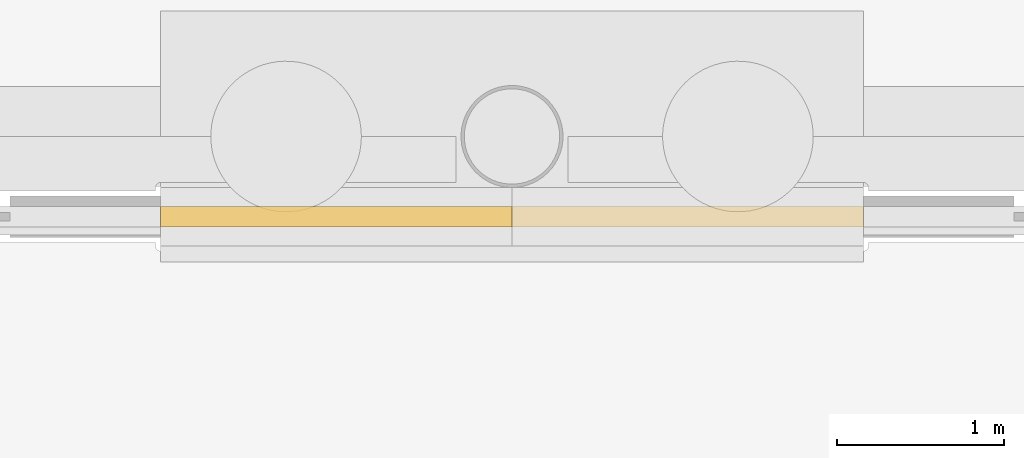
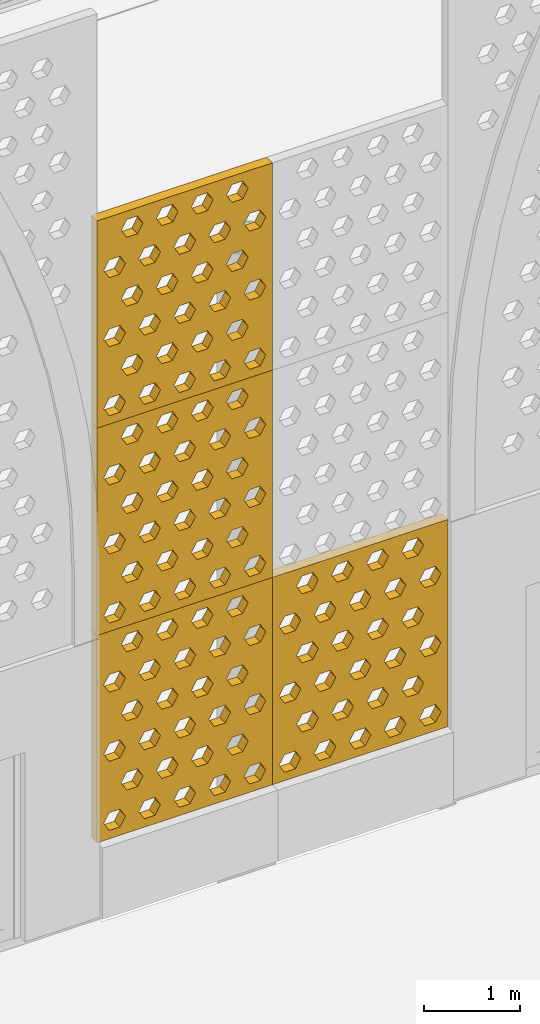
# One storey, part 196 of 250: 4 shading devices.
"""IFC4 building model written with IfcOpenShell, lengths in metres."""

from ifc_helpers import new_model, si_unit, direction, frame, origin, place, context, subcontext, project, spatial, polyline, outline, extrude, material, layer, layer_set, type_object, element, save


model = new_model("IFC4")

# Units and contexts
model_context = context("Model", 3, precision=1e-05, world=origin(), true_north=direction((0.0, 1.0)))
body_context = subcontext(model_context, "Body", "Model", "MODEL_VIEW")
ifc_project = project(units=[si_unit("LENGTHUNIT", "METRE"), si_unit("AREAUNIT", "SQUARE_METRE"), si_unit("VOLUMEUNIT", "CUBIC_METRE"), si_unit("PLANEANGLEUNIT", "RADIAN"), si_unit("MASSUNIT", "GRAM", prefix="KILO")], contexts=[model_context])

# Site, building, storey
site_placement = place(None, origin())
site = spatial("IfcSite", under=ifc_project, at=site_placement, CompositionType="ELEMENT")
building_placement = place(site_placement, origin())
building = spatial("IfcBuilding", under=site, at=building_placement, Name="Baradari Gate Terminus", CompositionType="ELEMENT")
storey_placement = place(building_placement, origin())
storey = spatial("IfcBuildingStorey", under=building, at=storey_placement, Name="L00", CompositionType="ELEMENT", Elevation=0.0)

# Shading devices
ifc_material = material(Name="Concrete C50/60 precast", Category="concrete")
ifc_layer = layer(ifc_material, 0.1201171875)
ifc_layer_set = layer_set([ifc_layer], Name="Concrete C50/60 precast")
shading_device_type = type_object("IfcShadingDeviceType", Name="Jali screen panel JS-2 120", PredefinedType="SHUTTER", material=ifc_layer_set)
shading_device_1_placement = place(storey_placement, frame((186.89990234375, 35.52001953125, 0.89990234375), z_axis=(0.0, 0.0, 1.0), x_axis=(1.0, 0.0, 0.0)))
element("IfcShadingDevice", 1, at=shading_device_1_placement, inside=storey, type_object=shading_device_type, Name="Jali screen panel JS-2 SC03c row 1 panel 1", PredefinedType="SHUTTER", context=body_context, shape_type="SweptSolid", body=[
    extrude(outline(polyline([(0.0, 0.0), (2.10009765625, 0.0), (2.10009765625, 2.625), (0.0, 2.625), (0.0, 0.0)]), holes=[polyline([(0.340087890625, 0.21875), (0.27490234375, 0.106201171875), (0.14501953125, 0.106201171875), (0.080078125, 0.21875), (0.14501953125, 0.33154296875), (0.27490234375, 0.33154296875), (0.340087890625, 0.21875)]), polyline([(0.760009765625, 0.21875), (0.695068359375, 0.106201171875), (0.56494140625, 0.106201171875), (0.5, 0.21875), (0.56494140625, 0.33154296875), (0.695068359375, 0.33154296875), (0.760009765625, 0.21875)]), polyline([(1.179931640625, 0.21875), (1.114990234375, 0.106201171875), (0.985107421875, 0.106201171875), (0.919921875, 0.21875), (0.985107421875, 0.33154296875), (1.114990234375, 0.33154296875), (1.179931640625, 0.21875)]), polyline([(1.60009765625, 0.21875), (1.534912109375, 0.106201171875), (1.405029296875, 0.106201171875), (1.340087890625, 0.21875), (1.405029296875, 0.33154296875), (1.534912109375, 0.33154296875), (1.60009765625, 0.21875)]), polyline([(2.02001953125, 0.21875), (1.955078125, 0.106201171875), (1.824951171875, 0.106201171875), (1.760009765625, 0.21875), (1.824951171875, 0.33154296875), (1.955078125, 0.33154296875), (2.02001953125, 0.21875)]), polyline([(0.550048828125, 0.65625), (0.485107421875, 0.543701171875), (0.35498046875, 0.543701171875), (0.2900390625, 0.65625), (0.35498046875, 0.76904296875), (0.485107421875, 0.76904296875), (0.550048828125, 0.65625)]), polyline([(0.969970703125, 0.65625), (0.905029296875, 0.543701171875), (0.77490234375, 0.543701171875), (0.7099609375, 0.65625), (0.77490234375, 0.76904296875), (0.905029296875, 0.76904296875), (0.969970703125, 0.65625)]), polyline([(1.389892578125, 0.65625), (1.324951171875, 0.543701171875), (1.195068359375, 0.543701171875), (1.1298828125, 0.65625), (1.195068359375, 0.76904296875), (1.324951171875, 0.76904296875), (1.389892578125, 0.65625)]), polyline([(1.81005859375, 0.65625), (1.7451171875, 0.543701171875), (1.614990234375, 0.543701171875), (1.550048828125, 0.65625), (1.614990234375, 0.76904296875), (1.7451171875, 0.76904296875), (1.81005859375, 0.65625)]), polyline([(0.340087890625, 1.09375), (0.27490234375, 0.981201171875), (0.14501953125, 0.981201171875), (0.080078125, 1.09375), (0.14501953125, 1.20654296875), (0.27490234375, 1.20654296875), (0.340087890625, 1.09375)]), polyline([(0.760009765625, 1.09375), (0.695068359375, 0.981201171875), (0.56494140625, 0.981201171875), (0.5, 1.09375), (0.56494140625, 1.20654296875), (0.695068359375, 1.20654296875), (0.760009765625, 1.09375)]), polyline([(1.179931640625, 1.09375), (1.114990234375, 0.981201171875), (0.985107421875, 0.981201171875), (0.919921875, 1.09375), (0.985107421875, 1.20654296875), (1.114990234375, 1.20654296875), (1.179931640625, 1.09375)]), polyline([(1.60009765625, 1.09375), (1.534912109375, 0.981201171875), (1.405029296875, 0.981201171875), (1.340087890625, 1.09375), (1.405029296875, 1.20654296875), (1.534912109375, 1.20654296875), (1.60009765625, 1.09375)]), polyline([(2.02001953125, 1.09375), (1.955078125, 0.981201171875), (1.824951171875, 0.981201171875), (1.760009765625, 1.09375), (1.824951171875, 1.20654296875), (1.955078125, 1.20654296875), (2.02001953125, 1.09375)]), polyline([(0.550048828125, 1.53125), (0.485107421875, 1.418701171875), (0.35498046875, 1.418701171875), (0.2900390625, 1.53125), (0.35498046875, 1.64404296875), (0.485107421875, 1.64404296875), (0.550048828125, 1.53125)]), polyline([(0.969970703125, 1.53125), (0.905029296875, 1.418701171875), (0.77490234375, 1.418701171875), (0.7099609375, 1.53125), (0.77490234375, 1.64404296875), (0.905029296875, 1.64404296875), (0.969970703125, 1.53125)]), polyline([(1.389892578125, 1.53125), (1.324951171875, 1.418701171875), (1.195068359375, 1.418701171875), (1.1298828125, 1.53125), (1.195068359375, 1.64404296875), (1.324951171875, 1.64404296875), (1.389892578125, 1.53125)]), polyline([(1.81005859375, 1.53125), (1.7451171875, 1.418701171875), (1.614990234375, 1.418701171875), (1.550048828125, 1.53125), (1.614990234375, 1.64404296875), (1.7451171875, 1.64404296875), (1.81005859375, 1.53125)]), polyline([(0.340087890625, 1.96875), (0.27490234375, 1.856201171875), (0.14501953125, 1.856201171875), (0.080078125, 1.96875), (0.14501953125, 2.08154296875), (0.27490234375, 2.08154296875), (0.340087890625, 1.96875)]), polyline([(0.760009765625, 1.96875), (0.695068359375, 1.856201171875), (0.56494140625, 1.856201171875), (0.5, 1.96875), (0.56494140625, 2.08154296875), (0.695068359375, 2.08154296875), (0.760009765625, 1.96875)]), polyline([(1.179931640625, 1.96875), (1.114990234375, 1.856201171875), (0.985107421875, 1.856201171875), (0.919921875, 1.96875), (0.985107421875, 2.08154296875), (1.114990234375, 2.08154296875), (1.179931640625, 1.96875)]), polyline([(1.60009765625, 1.96875), (1.534912109375, 1.856201171875), (1.405029296875, 1.856201171875), (1.340087890625, 1.96875), (1.405029296875, 2.08154296875), (1.534912109375, 2.08154296875), (1.60009765625, 1.96875)]), polyline([(2.02001953125, 1.96875), (1.955078125, 1.856201171875), (1.824951171875, 1.856201171875), (1.760009765625, 1.96875), (1.824951171875, 2.08154296875), (1.955078125, 2.08154296875), (2.02001953125, 1.96875)]), polyline([(0.550048828125, 2.40625), (0.485107421875, 2.293701171875), (0.35498046875, 2.293701171875), (0.2900390625, 2.40625), (0.35498046875, 2.51904296875), (0.485107421875, 2.51904296875), (0.550048828125, 2.40625)]), polyline([(0.969970703125, 2.40625), (0.905029296875, 2.293701171875), (0.77490234375, 2.293701171875), (0.7099609375, 2.40625), (0.77490234375, 2.51904296875), (0.905029296875, 2.51904296875), (0.969970703125, 2.40625)]), polyline([(1.389892578125, 2.40625), (1.324951171875, 2.293701171875), (1.195068359375, 2.293701171875), (1.1298828125, 2.40625), (1.195068359375, 2.51904296875), (1.324951171875, 2.51904296875), (1.389892578125, 2.40625)]), polyline([(1.81005859375, 2.40625), (1.7451171875, 2.293701171875), (1.614990234375, 2.293701171875), (1.550048828125, 2.40625), (1.614990234375, 2.51904296875), (1.7451171875, 2.51904296875), (1.81005859375, 2.40625)])]), frame((0.0, 0.06005859375, 0.0), z_axis=(0.0, -1.0, 0.0), x_axis=(1.0, 0.0, 0.0)), (0.0, 0.0, 1.0), 0.1201171875),
])
shading_device_2_placement = place(storey_placement, frame((186.89990234375, 35.52001953125, 3.52490234375), z_axis=(0.0, 0.0, 1.0), x_axis=(1.0, 0.0, 0.0)))
element("IfcShadingDevice", 2, at=shading_device_2_placement, inside=storey, type_object=shading_device_type, Name="Jali screen panel JS-2 SC03c row 2 panel 1", PredefinedType="SHUTTER", context=body_context, shape_type="SweptSolid", body=[
    extrude(outline(polyline([(0.0, 0.0), (2.10009765625, 0.0), (2.10009765625, 2.625), (0.0, 2.625), (0.0, 0.0)]), holes=[polyline([(0.340087890625, 0.21875), (0.27490234375, 0.106201171875), (0.14501953125, 0.106201171875), (0.080078125, 0.21875), (0.14501953125, 0.33154296875), (0.27490234375, 0.33154296875), (0.340087890625, 0.21875)]), polyline([(0.760009765625, 0.21875), (0.695068359375, 0.106201171875), (0.56494140625, 0.106201171875), (0.5, 0.21875), (0.56494140625, 0.33154296875), (0.695068359375, 0.33154296875), (0.760009765625, 0.21875)]), polyline([(1.179931640625, 0.21875), (1.114990234375, 0.106201171875), (0.985107421875, 0.106201171875), (0.919921875, 0.21875), (0.985107421875, 0.33154296875), (1.114990234375, 0.33154296875), (1.179931640625, 0.21875)]), polyline([(1.60009765625, 0.21875), (1.534912109375, 0.106201171875), (1.405029296875, 0.106201171875), (1.340087890625, 0.21875), (1.405029296875, 0.33154296875), (1.534912109375, 0.33154296875), (1.60009765625, 0.21875)]), polyline([(2.02001953125, 0.21875), (1.955078125, 0.106201171875), (1.824951171875, 0.106201171875), (1.760009765625, 0.21875), (1.824951171875, 0.33154296875), (1.955078125, 0.33154296875), (2.02001953125, 0.21875)]), polyline([(0.550048828125, 0.65625), (0.485107421875, 0.543701171875), (0.35498046875, 0.543701171875), (0.2900390625, 0.65625), (0.35498046875, 0.76904296875), (0.485107421875, 0.76904296875), (0.550048828125, 0.65625)]), polyline([(0.969970703125, 0.65625), (0.905029296875, 0.543701171875), (0.77490234375, 0.543701171875), (0.7099609375, 0.65625), (0.77490234375, 0.76904296875), (0.905029296875, 0.76904296875), (0.969970703125, 0.65625)]), polyline([(1.389892578125, 0.65625), (1.324951171875, 0.543701171875), (1.195068359375, 0.543701171875), (1.1298828125, 0.65625), (1.195068359375, 0.76904296875), (1.324951171875, 0.76904296875), (1.389892578125, 0.65625)]), polyline([(1.81005859375, 0.65625), (1.7451171875, 0.543701171875), (1.614990234375, 0.543701171875), (1.550048828125, 0.65625), (1.614990234375, 0.76904296875), (1.7451171875, 0.76904296875), (1.81005859375, 0.65625)]), polyline([(0.340087890625, 1.09375), (0.27490234375, 0.981201171875), (0.14501953125, 0.981201171875), (0.080078125, 1.09375), (0.14501953125, 1.20654296875), (0.27490234375, 1.20654296875), (0.340087890625, 1.09375)]), polyline([(0.760009765625, 1.09375), (0.695068359375, 0.981201171875), (0.56494140625, 0.981201171875), (0.5, 1.09375), (0.56494140625, 1.20654296875), (0.695068359375, 1.20654296875), (0.760009765625, 1.09375)]), polyline([(1.179931640625, 1.09375), (1.114990234375, 0.981201171875), (0.985107421875, 0.981201171875), (0.919921875, 1.09375), (0.985107421875, 1.20654296875), (1.114990234375, 1.20654296875), (1.179931640625, 1.09375)]), polyline([(1.60009765625, 1.09375), (1.534912109375, 0.981201171875), (1.405029296875, 0.981201171875), (1.340087890625, 1.09375), (1.405029296875, 1.20654296875), (1.534912109375, 1.20654296875), (1.60009765625, 1.09375)]), polyline([(2.02001953125, 1.09375), (1.955078125, 0.981201171875), (1.824951171875, 0.981201171875), (1.760009765625, 1.09375), (1.824951171875, 1.20654296875), (1.955078125, 1.20654296875), (2.02001953125, 1.09375)]), polyline([(0.550048828125, 1.53125), (0.485107421875, 1.418701171875), (0.35498046875, 1.418701171875), (0.2900390625, 1.53125), (0.35498046875, 1.64404296875), (0.485107421875, 1.64404296875), (0.550048828125, 1.53125)]), polyline([(0.969970703125, 1.53125), (0.905029296875, 1.418701171875), (0.77490234375, 1.418701171875), (0.7099609375, 1.53125), (0.77490234375, 1.64404296875), (0.905029296875, 1.64404296875), (0.969970703125, 1.53125)]), polyline([(1.389892578125, 1.53125), (1.324951171875, 1.418701171875), (1.195068359375, 1.418701171875), (1.1298828125, 1.53125), (1.195068359375, 1.64404296875), (1.324951171875, 1.64404296875), (1.389892578125, 1.53125)]), polyline([(1.81005859375, 1.53125), (1.7451171875, 1.418701171875), (1.614990234375, 1.418701171875), (1.550048828125, 1.53125), (1.614990234375, 1.64404296875), (1.7451171875, 1.64404296875), (1.81005859375, 1.53125)]), polyline([(0.340087890625, 1.96875), (0.27490234375, 1.856201171875), (0.14501953125, 1.856201171875), (0.080078125, 1.96875), (0.14501953125, 2.08154296875), (0.27490234375, 2.08154296875), (0.340087890625, 1.96875)]), polyline([(0.760009765625, 1.96875), (0.695068359375, 1.856201171875), (0.56494140625, 1.856201171875), (0.5, 1.96875), (0.56494140625, 2.08154296875), (0.695068359375, 2.08154296875), (0.760009765625, 1.96875)]), polyline([(1.179931640625, 1.96875), (1.114990234375, 1.856201171875), (0.985107421875, 1.856201171875), (0.919921875, 1.96875), (0.985107421875, 2.08154296875), (1.114990234375, 2.08154296875), (1.179931640625, 1.96875)]), polyline([(1.60009765625, 1.96875), (1.534912109375, 1.856201171875), (1.405029296875, 1.856201171875), (1.340087890625, 1.96875), (1.405029296875, 2.08154296875), (1.534912109375, 2.08154296875), (1.60009765625, 1.96875)]), polyline([(2.02001953125, 1.96875), (1.955078125, 1.856201171875), (1.824951171875, 1.856201171875), (1.760009765625, 1.96875), (1.824951171875, 2.08154296875), (1.955078125, 2.08154296875), (2.02001953125, 1.96875)]), polyline([(0.550048828125, 2.40625), (0.485107421875, 2.293701171875), (0.35498046875, 2.293701171875), (0.2900390625, 2.40625), (0.35498046875, 2.51904296875), (0.485107421875, 2.51904296875), (0.550048828125, 2.40625)]), polyline([(0.969970703125, 2.40625), (0.905029296875, 2.293701171875), (0.77490234375, 2.293701171875), (0.7099609375, 2.40625), (0.77490234375, 2.51904296875), (0.905029296875, 2.51904296875), (0.969970703125, 2.40625)]), polyline([(1.389892578125, 2.40625), (1.324951171875, 2.293701171875), (1.195068359375, 2.293701171875), (1.1298828125, 2.40625), (1.195068359375, 2.51904296875), (1.324951171875, 2.51904296875), (1.389892578125, 2.40625)]), polyline([(1.81005859375, 2.40625), (1.7451171875, 2.293701171875), (1.614990234375, 2.293701171875), (1.550048828125, 2.40625), (1.614990234375, 2.51904296875), (1.7451171875, 2.51904296875), (1.81005859375, 2.40625)])]), frame((0.0, 0.06005859375, 0.0), z_axis=(0.0, -1.0, 0.0), x_axis=(1.0, 0.0, 0.0)), (0.0, 0.0, 1.0), 0.1201171875),
])
shading_device_3_placement = place(storey_placement, frame((186.89990234375, 35.52001953125, 6.14990234375), z_axis=(0.0, 0.0, 1.0), x_axis=(1.0, 0.0, 0.0)))
element("IfcShadingDevice", 3, at=shading_device_3_placement, inside=storey, type_object=shading_device_type, Name="Jali screen panel JS-2 SC03c row 3 panel 1", PredefinedType="SHUTTER", context=body_context, shape_type="SweptSolid", body=[
    extrude(outline(polyline([(0.0, 0.0), (2.10009765625, 0.0), (2.10009765625, 2.625), (0.0, 2.625), (0.0, 0.0)]), holes=[polyline([(0.340087890625, 0.21875), (0.27490234375, 0.106201171875), (0.14501953125, 0.106201171875), (0.080078125, 0.21875), (0.14501953125, 0.33154296875), (0.27490234375, 0.33154296875), (0.340087890625, 0.21875)]), polyline([(0.760009765625, 0.21875), (0.695068359375, 0.106201171875), (0.56494140625, 0.106201171875), (0.5, 0.21875), (0.56494140625, 0.33154296875), (0.695068359375, 0.33154296875), (0.760009765625, 0.21875)]), polyline([(1.179931640625, 0.21875), (1.114990234375, 0.106201171875), (0.985107421875, 0.106201171875), (0.919921875, 0.21875), (0.985107421875, 0.33154296875), (1.114990234375, 0.33154296875), (1.179931640625, 0.21875)]), polyline([(1.60009765625, 0.21875), (1.534912109375, 0.106201171875), (1.405029296875, 0.106201171875), (1.340087890625, 0.21875), (1.405029296875, 0.33154296875), (1.534912109375, 0.33154296875), (1.60009765625, 0.21875)]), polyline([(2.02001953125, 0.21875), (1.955078125, 0.106201171875), (1.824951171875, 0.106201171875), (1.760009765625, 0.21875), (1.824951171875, 0.33154296875), (1.955078125, 0.33154296875), (2.02001953125, 0.21875)]), polyline([(0.550048828125, 0.65625), (0.485107421875, 0.543701171875), (0.35498046875, 0.543701171875), (0.2900390625, 0.65625), (0.35498046875, 0.76904296875), (0.485107421875, 0.76904296875), (0.550048828125, 0.65625)]), polyline([(0.969970703125, 0.65625), (0.905029296875, 0.543701171875), (0.77490234375, 0.543701171875), (0.7099609375, 0.65625), (0.77490234375, 0.76904296875), (0.905029296875, 0.76904296875), (0.969970703125, 0.65625)]), polyline([(1.389892578125, 0.65625), (1.324951171875, 0.543701171875), (1.195068359375, 0.543701171875), (1.1298828125, 0.65625), (1.195068359375, 0.76904296875), (1.324951171875, 0.76904296875), (1.389892578125, 0.65625)]), polyline([(1.81005859375, 0.65625), (1.7451171875, 0.543701171875), (1.614990234375, 0.543701171875), (1.550048828125, 0.65625), (1.614990234375, 0.76904296875), (1.7451171875, 0.76904296875), (1.81005859375, 0.65625)]), polyline([(0.340087890625, 1.09375), (0.27490234375, 0.981201171875), (0.14501953125, 0.981201171875), (0.080078125, 1.09375), (0.14501953125, 1.20654296875), (0.27490234375, 1.20654296875), (0.340087890625, 1.09375)]), polyline([(0.760009765625, 1.09375), (0.695068359375, 0.981201171875), (0.56494140625, 0.981201171875), (0.5, 1.09375), (0.56494140625, 1.20654296875), (0.695068359375, 1.20654296875), (0.760009765625, 1.09375)]), polyline([(1.179931640625, 1.09375), (1.114990234375, 0.981201171875), (0.985107421875, 0.981201171875), (0.919921875, 1.09375), (0.985107421875, 1.20654296875), (1.114990234375, 1.20654296875), (1.179931640625, 1.09375)]), polyline([(1.60009765625, 1.09375), (1.534912109375, 0.981201171875), (1.405029296875, 0.981201171875), (1.340087890625, 1.09375), (1.405029296875, 1.20654296875), (1.534912109375, 1.20654296875), (1.60009765625, 1.09375)]), polyline([(2.02001953125, 1.09375), (1.955078125, 0.981201171875), (1.824951171875, 0.981201171875), (1.760009765625, 1.09375), (1.824951171875, 1.20654296875), (1.955078125, 1.20654296875), (2.02001953125, 1.09375)]), polyline([(0.550048828125, 1.53125), (0.485107421875, 1.418701171875), (0.35498046875, 1.418701171875), (0.2900390625, 1.53125), (0.35498046875, 1.64404296875), (0.485107421875, 1.64404296875), (0.550048828125, 1.53125)]), polyline([(0.969970703125, 1.53125), (0.905029296875, 1.418701171875), (0.77490234375, 1.418701171875), (0.7099609375, 1.53125), (0.77490234375, 1.64404296875), (0.905029296875, 1.64404296875), (0.969970703125, 1.53125)]), polyline([(1.389892578125, 1.53125), (1.324951171875, 1.418701171875), (1.195068359375, 1.418701171875), (1.1298828125, 1.53125), (1.195068359375, 1.64404296875), (1.324951171875, 1.64404296875), (1.389892578125, 1.53125)]), polyline([(1.81005859375, 1.53125), (1.7451171875, 1.418701171875), (1.614990234375, 1.418701171875), (1.550048828125, 1.53125), (1.614990234375, 1.64404296875), (1.7451171875, 1.64404296875), (1.81005859375, 1.53125)]), polyline([(0.340087890625, 1.96875), (0.27490234375, 1.856201171875), (0.14501953125, 1.856201171875), (0.080078125, 1.96875), (0.14501953125, 2.08154296875), (0.27490234375, 2.08154296875), (0.340087890625, 1.96875)]), polyline([(0.760009765625, 1.96875), (0.695068359375, 1.856201171875), (0.56494140625, 1.856201171875), (0.5, 1.96875), (0.56494140625, 2.08154296875), (0.695068359375, 2.08154296875), (0.760009765625, 1.96875)]), polyline([(1.179931640625, 1.96875), (1.114990234375, 1.856201171875), (0.985107421875, 1.856201171875), (0.919921875, 1.96875), (0.985107421875, 2.08154296875), (1.114990234375, 2.08154296875), (1.179931640625, 1.96875)]), polyline([(1.60009765625, 1.96875), (1.534912109375, 1.856201171875), (1.405029296875, 1.856201171875), (1.340087890625, 1.96875), (1.405029296875, 2.08154296875), (1.534912109375, 2.08154296875), (1.60009765625, 1.96875)]), polyline([(2.02001953125, 1.96875), (1.955078125, 1.856201171875), (1.824951171875, 1.856201171875), (1.760009765625, 1.96875), (1.824951171875, 2.08154296875), (1.955078125, 2.08154296875), (2.02001953125, 1.96875)]), polyline([(0.550048828125, 2.40625), (0.485107421875, 2.293701171875), (0.35498046875, 2.293701171875), (0.2900390625, 2.40625), (0.35498046875, 2.51904296875), (0.485107421875, 2.51904296875), (0.550048828125, 2.40625)]), polyline([(0.969970703125, 2.40625), (0.905029296875, 2.293701171875), (0.77490234375, 2.293701171875), (0.7099609375, 2.40625), (0.77490234375, 2.51904296875), (0.905029296875, 2.51904296875), (0.969970703125, 2.40625)]), polyline([(1.389892578125, 2.40625), (1.324951171875, 2.293701171875), (1.195068359375, 2.293701171875), (1.1298828125, 2.40625), (1.195068359375, 2.51904296875), (1.324951171875, 2.51904296875), (1.389892578125, 2.40625)]), polyline([(1.81005859375, 2.40625), (1.7451171875, 2.293701171875), (1.614990234375, 2.293701171875), (1.550048828125, 2.40625), (1.614990234375, 2.51904296875), (1.7451171875, 2.51904296875), (1.81005859375, 2.40625)])]), frame((0.0, 0.06005859375, 0.0), z_axis=(0.0, -1.0, 0.0), x_axis=(1.0, 0.0, 0.0)), (0.0, 0.0, 1.0), 0.1201171875),
])
shading_device_4_placement = place(storey_placement, frame((189.0, 35.52001953125, 0.89990234375), z_axis=(0.0, 0.0, 1.0), x_axis=(1.0, 0.0, 0.0)))
element("IfcShadingDevice", 4, at=shading_device_4_placement, inside=storey, type_object=shading_device_type, Name="Jali screen panel JS-2 SC04a row 1 panel 1", PredefinedType="SHUTTER", context=body_context, shape_type="SweptSolid", body=[
    extrude(outline(polyline([(0.0, 0.0), (2.10009765625, 0.0), (2.10009765625, 2.625), (0.0, 2.625), (0.0, 0.0)]), holes=[polyline([(0.340087890625, 0.21875), (0.27490234375, 0.106201171875), (0.14501953125, 0.106201171875), (0.080078125, 0.21875), (0.14501953125, 0.33154296875), (0.27490234375, 0.33154296875), (0.340087890625, 0.21875)]), polyline([(0.760009765625, 0.21875), (0.695068359375, 0.106201171875), (0.56494140625, 0.106201171875), (0.5, 0.21875), (0.56494140625, 0.33154296875), (0.695068359375, 0.33154296875), (0.760009765625, 0.21875)]), polyline([(1.179931640625, 0.21875), (1.114990234375, 0.106201171875), (0.985107421875, 0.106201171875), (0.919921875, 0.21875), (0.985107421875, 0.33154296875), (1.114990234375, 0.33154296875), (1.179931640625, 0.21875)]), polyline([(1.60009765625, 0.21875), (1.534912109375, 0.106201171875), (1.405029296875, 0.106201171875), (1.340087890625, 0.21875), (1.405029296875, 0.33154296875), (1.534912109375, 0.33154296875), (1.60009765625, 0.21875)]), polyline([(2.02001953125, 0.21875), (1.955078125, 0.106201171875), (1.824951171875, 0.106201171875), (1.760009765625, 0.21875), (1.824951171875, 0.33154296875), (1.955078125, 0.33154296875), (2.02001953125, 0.21875)]), polyline([(0.550048828125, 0.65625), (0.485107421875, 0.543701171875), (0.35498046875, 0.543701171875), (0.2900390625, 0.65625), (0.35498046875, 0.76904296875), (0.485107421875, 0.76904296875), (0.550048828125, 0.65625)]), polyline([(0.969970703125, 0.65625), (0.905029296875, 0.543701171875), (0.77490234375, 0.543701171875), (0.7099609375, 0.65625), (0.77490234375, 0.76904296875), (0.905029296875, 0.76904296875), (0.969970703125, 0.65625)]), polyline([(1.389892578125, 0.65625), (1.324951171875, 0.543701171875), (1.195068359375, 0.543701171875), (1.1298828125, 0.65625), (1.195068359375, 0.76904296875), (1.324951171875, 0.76904296875), (1.389892578125, 0.65625)]), polyline([(1.81005859375, 0.65625), (1.7451171875, 0.543701171875), (1.614990234375, 0.543701171875), (1.550048828125, 0.65625), (1.614990234375, 0.76904296875), (1.7451171875, 0.76904296875), (1.81005859375, 0.65625)]), polyline([(0.340087890625, 1.09375), (0.27490234375, 0.981201171875), (0.14501953125, 0.981201171875), (0.080078125, 1.09375), (0.14501953125, 1.20654296875), (0.27490234375, 1.20654296875), (0.340087890625, 1.09375)]), polyline([(0.760009765625, 1.09375), (0.695068359375, 0.981201171875), (0.56494140625, 0.981201171875), (0.5, 1.09375), (0.56494140625, 1.20654296875), (0.695068359375, 1.20654296875), (0.760009765625, 1.09375)]), polyline([(1.179931640625, 1.09375), (1.114990234375, 0.981201171875), (0.985107421875, 0.981201171875), (0.919921875, 1.09375), (0.985107421875, 1.20654296875), (1.114990234375, 1.20654296875), (1.179931640625, 1.09375)]), polyline([(1.60009765625, 1.09375), (1.534912109375, 0.981201171875), (1.405029296875, 0.981201171875), (1.340087890625, 1.09375), (1.405029296875, 1.20654296875), (1.534912109375, 1.20654296875), (1.60009765625, 1.09375)]), polyline([(2.02001953125, 1.09375), (1.955078125, 0.981201171875), (1.824951171875, 0.981201171875), (1.760009765625, 1.09375), (1.824951171875, 1.20654296875), (1.955078125, 1.20654296875), (2.02001953125, 1.09375)]), polyline([(0.550048828125, 1.53125), (0.485107421875, 1.418701171875), (0.35498046875, 1.418701171875), (0.2900390625, 1.53125), (0.35498046875, 1.64404296875), (0.485107421875, 1.64404296875), (0.550048828125, 1.53125)]), polyline([(0.969970703125, 1.53125), (0.905029296875, 1.418701171875), (0.77490234375, 1.418701171875), (0.7099609375, 1.53125), (0.77490234375, 1.64404296875), (0.905029296875, 1.64404296875), (0.969970703125, 1.53125)]), polyline([(1.389892578125, 1.53125), (1.324951171875, 1.418701171875), (1.195068359375, 1.418701171875), (1.1298828125, 1.53125), (1.195068359375, 1.64404296875), (1.324951171875, 1.64404296875), (1.389892578125, 1.53125)]), polyline([(1.81005859375, 1.53125), (1.7451171875, 1.418701171875), (1.614990234375, 1.418701171875), (1.550048828125, 1.53125), (1.614990234375, 1.64404296875), (1.7451171875, 1.64404296875), (1.81005859375, 1.53125)]), polyline([(0.340087890625, 1.96875), (0.27490234375, 1.856201171875), (0.14501953125, 1.856201171875), (0.080078125, 1.96875), (0.14501953125, 2.08154296875), (0.27490234375, 2.08154296875), (0.340087890625, 1.96875)]), polyline([(0.760009765625, 1.96875), (0.695068359375, 1.856201171875), (0.56494140625, 1.856201171875), (0.5, 1.96875), (0.56494140625, 2.08154296875), (0.695068359375, 2.08154296875), (0.760009765625, 1.96875)]), polyline([(1.179931640625, 1.96875), (1.114990234375, 1.856201171875), (0.985107421875, 1.856201171875), (0.919921875, 1.96875), (0.985107421875, 2.08154296875), (1.114990234375, 2.08154296875), (1.179931640625, 1.96875)]), polyline([(1.60009765625, 1.96875), (1.534912109375, 1.856201171875), (1.405029296875, 1.856201171875), (1.340087890625, 1.96875), (1.405029296875, 2.08154296875), (1.534912109375, 2.08154296875), (1.60009765625, 1.96875)]), polyline([(2.02001953125, 1.96875), (1.955078125, 1.856201171875), (1.824951171875, 1.856201171875), (1.760009765625, 1.96875), (1.824951171875, 2.08154296875), (1.955078125, 2.08154296875), (2.02001953125, 1.96875)]), polyline([(0.550048828125, 2.40625), (0.485107421875, 2.293701171875), (0.35498046875, 2.293701171875), (0.2900390625, 2.40625), (0.35498046875, 2.51904296875), (0.485107421875, 2.51904296875), (0.550048828125, 2.40625)]), polyline([(0.969970703125, 2.40625), (0.905029296875, 2.293701171875), (0.77490234375, 2.293701171875), (0.7099609375, 2.40625), (0.77490234375, 2.51904296875), (0.905029296875, 2.51904296875), (0.969970703125, 2.40625)]), polyline([(1.389892578125, 2.40625), (1.324951171875, 2.293701171875), (1.195068359375, 2.293701171875), (1.1298828125, 2.40625), (1.195068359375, 2.51904296875), (1.324951171875, 2.51904296875), (1.389892578125, 2.40625)]), polyline([(1.81005859375, 2.40625), (1.7451171875, 2.293701171875), (1.614990234375, 2.293701171875), (1.550048828125, 2.40625), (1.614990234375, 2.51904296875), (1.7451171875, 2.51904296875), (1.81005859375, 2.40625)])]), frame((0.0, 0.06005859375, 0.0), z_axis=(0.0, -1.0, 0.0), x_axis=(1.0, 0.0, 0.0)), (0.0, 0.0, 1.0), 0.1201171875),
])

save(model, "model.ifc")
